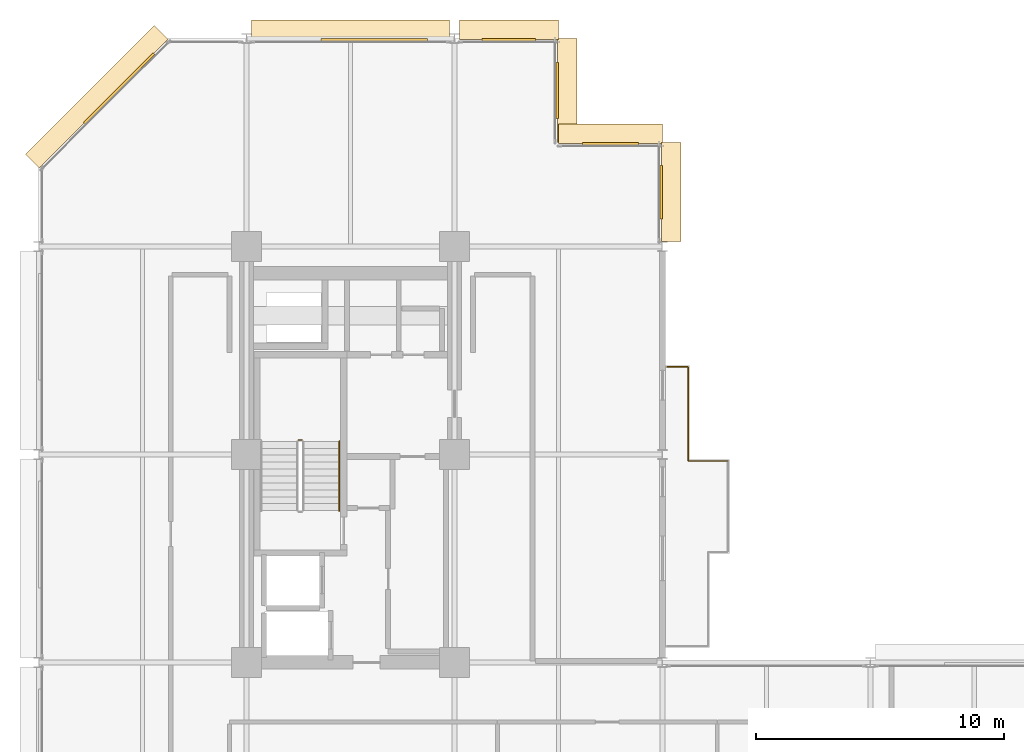
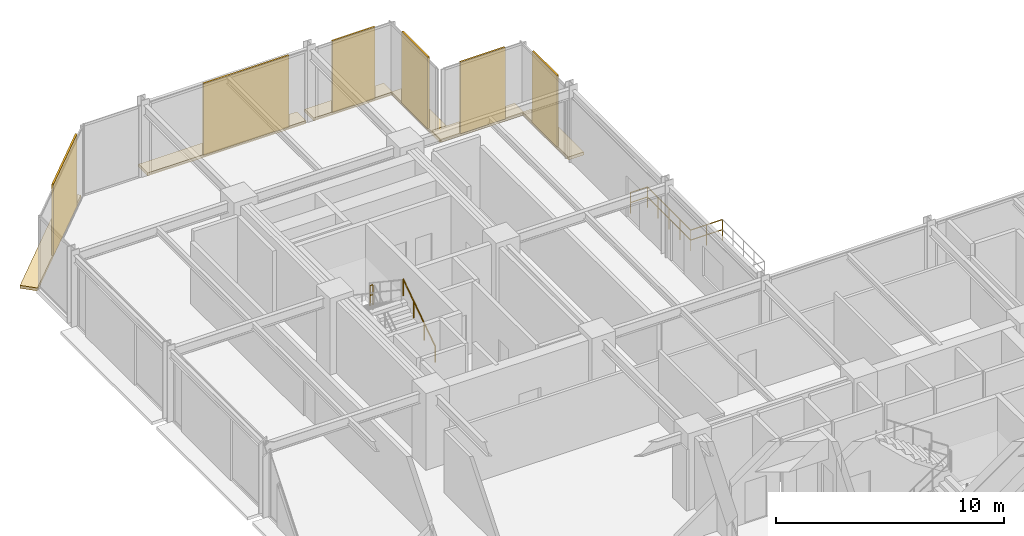
# One storey, part 30 of 30: 12 coverings, 5 railings.
"""IFC4 building model written with IfcOpenShell, lengths in metres."""

from ifc_helpers import new_model, si_unit, direction, frame, origin, origin_2d, place, context, subcontext, project, spatial, polyline, rectangle, circle, outline, extrude, material, layer, layer_set, type_object, element, save


model = new_model("IFC4")

# Units and contexts
model_context = context("Model", 3, precision=1e-05, world=origin(), true_north=direction((0.0, 1.0)))
body_context = subcontext(model_context, "Body", "Model", "MODEL_VIEW")
ifc_project = project(units=[si_unit("LENGTHUNIT", "METRE"), si_unit("AREAUNIT", "SQUARE_METRE"), si_unit("VOLUMEUNIT", "CUBIC_METRE"), si_unit("PLANEANGLEUNIT", "RADIAN"), si_unit("MASSUNIT", "GRAM", prefix="KILO")], contexts=[model_context])

# Site, building, storey
site_placement = place(None, origin())
site = spatial("IfcSite", under=ifc_project, at=site_placement, CompositionType="ELEMENT")
building_placement = place(site_placement, origin())
building = spatial("IfcBuilding", under=site, at=building_placement, Name="Nerrivon Quay Data Exchange", CompositionType="ELEMENT")
storey_placement = place(building_placement, frame((0.0, 0.0, 141.800048828125)))
storey = spatial("IfcBuildingStorey", under=building, at=storey_placement, Name="L33", CompositionType="ELEMENT", Elevation=141.800048828125)

# Coverings
ifc_material_1 = material(Name="Architectural terracotta ceramic", Category="masonry")
ifc_layer_1 = layer(ifc_material_1, 0.159912109375)
ifc_layer_set_1 = layer_set([ifc_layer_1], Name="Architectural terracotta ceramic")
covering_type_1 = type_object("IfcCoveringType", Name="COV-BLD-TERR", PredefinedType="CLADDING", material=ifc_layer_set_1)
covering_1_placement = place(storey_placement, frame((0.0, 0.0, -0.16015625)))
element("IfcCovering", 1, at=covering_1_placement, inside=storey, type_object=covering_type_1, Name="L33 Horizontal Terracotta SOLAR SCREEN Blade", PredefinedType="CLADDING", context=body_context, shape_type="SweptSolid", body=[
    extrude(outline(polyline([(0.0283203125, 45.171630859375), (5.228271484375, 50.37158203125), (4.669677734375, 50.930419921875), (-0.5302734375, 45.730224609375), (0.0283203125, 45.171630859375)])), origin(), (0.0, 0.0, 1.0), 0.16015625),
])
covering_2_placement = place(storey_placement, frame((0.0, 0.0, -0.16015625)))
element("IfcCovering", 2, at=covering_2_placement, inside=storey, type_object=covering_type_1, Name="L33 Horizontal Terracotta SOLAR SCREEN Blade", PredefinedType="CLADDING", context=body_context, shape_type="SweptSolid", body=[
    extrude(outline(polyline([(8.60009765625, 50.360107421875), (16.60009765625, 50.360107421875), (16.60009765625, 51.14990234375), (8.60009765625, 51.14990234375), (8.60009765625, 50.360107421875)])), origin(), (0.0, 0.0, 1.0), 0.16015625),
])
covering_3_placement = place(storey_placement, frame((0.0, 0.0, -0.16015625)))
element("IfcCovering", 3, at=covering_3_placement, inside=storey, type_object=covering_type_1, Name="L33 Horizontal Terracotta SOLAR SCREEN Blade", PredefinedType="CLADDING", context=body_context, shape_type="SweptSolid", body=[
    extrude(outline(polyline([(17.0, 50.360107421875), (21.0, 50.360107421875), (21.0, 51.14990234375), (17.0, 51.14990234375), (17.0, 50.360107421875)])), origin(), (0.0, 0.0, 1.0), 0.16015625),
])
covering_4_placement = place(storey_placement, frame((0.0, 0.0, -0.16015625)))
element("IfcCovering", 4, at=covering_4_placement, inside=storey, type_object=covering_type_1, Name="L33 Horizontal Terracotta SOLAR SCREEN Blade", PredefinedType="CLADDING", context=body_context, shape_type="SweptSolid", body=[
    extrude(outline(polyline([(20.9599609375, 50.39990234375), (20.9599609375, 46.199951171875), (21.75, 46.199951171875), (21.75, 50.39990234375), (20.9599609375, 50.39990234375)])), origin(), (0.0, 0.0, 1.0), 0.16015625),
])
covering_5_placement = place(storey_placement, frame((0.0, 0.0, -0.16015625)))
element("IfcCovering", 5, at=covering_5_placement, inside=storey, type_object=covering_type_1, Name="L33 Horizontal Terracotta SOLAR SCREEN Blade", PredefinedType="CLADDING", context=body_context, shape_type="SweptSolid", body=[
    extrude(outline(polyline([(21.0, 46.159912109375), (25.199951171875, 46.159912109375), (25.199951171875, 46.949951171875), (21.0, 46.949951171875), (21.0, 46.159912109375)])), origin(), (0.0, 0.0, 1.0), 0.16015625),
])
covering_6_placement = place(storey_placement, frame((0.0, 0.0, -0.16015625)))
element("IfcCovering", 6, at=covering_6_placement, inside=storey, type_object=covering_type_1, Name="L33 Horizontal Terracotta SOLAR SCREEN Blade", PredefinedType="CLADDING", context=body_context, shape_type="SweptSolid", body=[
    extrude(outline(polyline([(25.159912109375, 46.199951171875), (25.159912109375, 42.199951171875), (25.949951171875, 42.199951171875), (25.949951171875, 46.199951171875), (25.159912109375, 46.199951171875)])), origin(), (0.0, 0.0, 1.0), 0.16015625),
])
ifc_layer_2 = layer(ifc_material_1, 0.090087890625)
ifc_layer_set_2 = layer_set([ifc_layer_2], Name="Architectural terracotta ceramic")
covering_type_2 = type_object("IfcCoveringType", Name="COV-SCR-TERR", PredefinedType="CLADDING", material=ifc_layer_set_2)
covering_7_placement = place(storey_placement, frame((3.255859375, 48.39208984375, 0.0), z_axis=(0.0, 0.0, 1.0), x_axis=(0.707106781187, 0.707106781187, 0.0)))
element("IfcCovering", 7, at=covering_7_placement, inside=storey, type_object=covering_type_2, Name="L33 Perforated Terracotta SOLAR SCREEN Cassette", PredefinedType="CLADDING", context=body_context, shape_type="SweptSolid", body=[
    extrude(rectangle(XDim=3.970947265625, YDim=0.090087890625, at=origin_2d()), origin(), (0.0, 0.0, 1.0), 3.824951171875),
])
covering_8_placement = place(storey_placement, frame((13.56005859375, 50.35498046875, 0.0), z_axis=(0.0, 0.0, 1.0), x_axis=(1.0, 0.0, 0.0)))
element("IfcCovering", 8, at=covering_8_placement, inside=storey, type_object=covering_type_2, Name="L33 Perforated Terracotta SOLAR SCREEN Cassette", PredefinedType="CLADDING", context=body_context, shape_type="SweptSolid", body=[
    extrude(rectangle(XDim=4.320068359375, YDim=0.090087890625, at=origin_2d()), origin(), (0.0, 0.0, 1.0), 3.824951171875),
])
covering_9_placement = place(storey_placement, frame((19.0, 50.35498046875, 0.0), z_axis=(0.0, 0.0, 1.0), x_axis=(1.0, 0.0, 0.0)))
element("IfcCovering", 9, at=covering_9_placement, inside=storey, type_object=covering_type_2, Name="L33 Perforated Terracotta SOLAR SCREEN Cassette", PredefinedType="CLADDING", context=body_context, shape_type="SweptSolid", body=[
    extrude(rectangle(XDim=2.159912109375, YDim=0.090087890625, at=origin_2d()), origin(), (0.0, 0.0, 1.0), 3.824951171875),
])
for number, where, z_axis, x_axis, name in (
    (10, (20.955078125, 48.300048828125, 0.0), (0.0, 0.0, 1.0), (0.0, -1.0, 0.0), "L33 Perforated Terracotta SOLAR SCREEN Cassette"),
    (11, (23.10009765625, 46.155029296875, 0.0), (0.0, 0.0, 1.0), (1.0, 0.0, 0.0), "L33 Perforated Terracotta SOLAR SCREEN Cassette"),
):
    element("IfcCovering", number, at=place(storey_placement, frame(where, z_axis=z_axis, x_axis=x_axis)), inside=storey, type_object=covering_type_2, Name=name, PredefinedType="CLADDING", context=body_context, shape_type="SweptSolid", body=[
        extrude(rectangle(XDim=2.26806640625, YDim=0.090087890625, at=origin_2d()), origin(), (0.0, 0.0, 1.0), 3.824951171875),
    ])
covering_10_placement = place(storey_placement, frame((25.155029296875, 44.199951171875, 0.0), z_axis=(0.0, 0.0, 1.0), x_axis=(0.0, -1.0, 0.0)))
element("IfcCovering", 12, at=covering_10_placement, inside=storey, type_object=covering_type_2, Name="L33 Perforated Terracotta SOLAR SCREEN Cassette", PredefinedType="CLADDING", context=body_context, shape_type="SweptSolid", body=[
    extrude(rectangle(XDim=2.159912109375, YDim=0.090087890625, at=origin_2d()), origin(), (0.0, 0.0, 1.0), 3.824951171875),
])

# Railings
ifc_material_2 = material(Name="Steel Grade C350L0 (350 MPa)", Category="steel")
railing_type_1 = type_object("IfcRailingType", Name="RAIL-GUARD-GR2", PredefinedType="BALUSTRADE", material=ifc_material_2)
railing_1_placement = place(storey_placement, frame((25.3798828125, 37.139892578125, 0.0)))
element("IfcRailing", 13, at=railing_1_placement, inside=storey, type_object=railing_type_1, Name="L33 Verandah Balcony Guard 1.3 1", PredefinedType="BALUSTRADE", context=body_context, shape_type="SweptSolid", body=[
    extrude(circle(Radius=0.02392578125, at=origin_2d()), frame((0.0, 0.0, 1.09619140625), z_axis=(1.0, 0.0, 0.0), x_axis=(0.0, 1.0, 0.0)), (0.0, 0.0, 1.0), 0.860107421875),
    extrude(circle(Radius=0.02392578125, at=origin_2d()), frame((0.0, 0.0, 0.56005859375), z_axis=(1.0, 0.0, 0.0), x_axis=(0.0, 1.0, 0.0)), (0.0, 0.0, 1.0), 0.860107421875),
    extrude(circle(Radius=0.02099609375, at=origin_2d()), origin(), (0.0, 0.0, 1.0), 1.072021484375),
    extrude(circle(Radius=0.02099609375, at=origin_2d()), frame((0.860107421875, 0.0, 0.0)), (0.0, 0.0, 1.0), 1.072021484375),
])
railing_2_placement = place(storey_placement, frame((26.239990234375, 37.139892578125, 0.0)))
element("IfcRailing", 14, at=railing_2_placement, inside=storey, type_object=railing_type_1, Name="L33 Verandah Balcony Guard 1.4 1", PredefinedType="BALUSTRADE", context=body_context, shape_type="SweptSolid", body=[
    extrude(circle(Radius=0.02392578125, at=origin_2d()), frame((0.0, 0.0, 1.09619140625), z_axis=(0.0, -1.0, 0.0), x_axis=(1.0, 0.0, 0.0)), (0.0, 0.0, 1.0), 3.7998046875),
    extrude(circle(Radius=0.02392578125, at=origin_2d()), frame((0.0, 0.0, 0.56005859375), z_axis=(0.0, -1.0, 0.0), x_axis=(1.0, 0.0, 0.0)), (0.0, 0.0, 1.0), 3.7998046875),
    extrude(circle(Radius=0.02099609375, at=origin_2d()), origin(), (0.0, 0.0, 1.0), 1.072021484375),
    extrude(circle(Radius=0.02099609375, at=origin_2d()), frame((0.0, -0.949951171875, 0.0)), (0.0, 0.0, 1.0), 1.072021484375),
    extrude(circle(Radius=0.02099609375, at=origin_2d()), frame((0.0, -1.89990234375, 0.0)), (0.0, 0.0, 1.0), 1.072021484375),
    extrude(circle(Radius=0.02099609375, at=origin_2d()), frame((0.0, -2.849853515625, 0.0)), (0.0, 0.0, 1.0), 1.072021484375),
    extrude(circle(Radius=0.02099609375, at=origin_2d()), frame((0.0, -3.7998046875, 0.0)), (0.0, 0.0, 1.0), 1.072021484375),
])
railing_3_placement = place(storey_placement, frame((26.239990234375, 33.340087890625, 0.0)))
element("IfcRailing", 15, at=railing_3_placement, inside=storey, type_object=railing_type_1, Name="L33 Verandah Balcony Guard 1.5 1", PredefinedType="BALUSTRADE", context=body_context, shape_type="SweptSolid", body=[
    extrude(circle(Radius=0.02392578125, at=origin_2d()), frame((0.0, 0.0, 1.09619140625), z_axis=(1.0, 0.0, 0.0), x_axis=(0.0, 1.0, 0.0)), (0.0, 0.0, 1.0), 1.60009765625),
    extrude(circle(Radius=0.02392578125, at=origin_2d()), frame((0.0, 0.0, 0.56005859375), z_axis=(1.0, 0.0, 0.0), x_axis=(0.0, 1.0, 0.0)), (0.0, 0.0, 1.0), 1.60009765625),
    extrude(circle(Radius=0.02099609375, at=origin_2d()), origin(), (0.0, 0.0, 1.0), 1.072021484375),
    extrude(circle(Radius=0.02099609375, at=origin_2d()), frame((0.800048828125, 0.0, 0.0)), (0.0, 0.0, 1.0), 1.072021484375),
    extrude(circle(Radius=0.02099609375, at=origin_2d()), frame((1.60009765625, 0.0, 0.0)), (0.0, 0.0, 1.0), 1.072021484375),
])
railing_type_2 = type_object("IfcRailingType", Name="RAIL-HAND-HR1", PredefinedType="HANDRAIL", material=ifc_material_2)
railing_4_placement = place(storey_placement, frame((12.14990234375, 31.330078125, 0.186279296875)))
element("IfcRailing", 16, at=railing_4_placement, inside=storey, type_object=railing_type_2, Name="L33 ST01 stair handrail 1", PredefinedType="HANDRAIL", context=body_context, shape_type="SweptSolid", body=[
    extrude(circle(Radius=0.02392578125, at=origin_2d()), frame((0.0, 0.0, 0.8759765625), z_axis=(0.0, 0.832429786209, 0.554130536094), x_axis=(-1.0, 0.0, 0.0)), (0.0, 0.0, 1.0), 3.363525390625),
    extrude(circle(Radius=0.02099609375, at=origin_2d()), origin(), (0.0, 0.0, 1.0), 0.851806640625),
    extrude(circle(Radius=0.02099609375, at=origin_2d()), frame((0.0, 0.933349609375, 0.621337890625)), (0.0, 0.0, 1.0), 0.851806640625),
    extrude(circle(Radius=0.02099609375, at=origin_2d()), frame((0.0, 1.866455078125, 1.242431640625)), (0.0, 0.0, 1.0), 0.851806640625),
    extrude(circle(Radius=0.02099609375, at=origin_2d()), frame((0.0, 2.7998046875, 1.86376953125)), (0.0, 0.0, 1.0), 0.851806640625),
])
railing_type_3 = type_object("IfcRailingType", Name="RAIL-STAIR-GR1", PredefinedType="BALUSTRADE", material=ifc_material_2)
railing_5_placement = place(storey_placement, frame((10.64990234375, 34.179931640625, 2.050048828125)))
element("IfcRailing", 17, at=railing_5_placement, inside=storey, type_object=railing_type_3, Name="L33 ST01 stair guard 2", PredefinedType="BALUSTRADE", context=body_context, shape_type="SweptSolid", body=[
    extrude(circle(Radius=0.02392578125, at=origin_2d()), frame((0.0, 0.0, 1.076171875), z_axis=(-1.0, 0.0, 0.0), x_axis=(0.0, -1.0, 0.0)), (0.0, 0.0, 1.0), 0.14990234375),
    extrude(circle(Radius=0.02392578125, at=origin_2d()), frame((0.0, 0.0, 0.550048828125), z_axis=(-1.0, 0.0, 0.0), x_axis=(0.0, -1.0, 0.0)), (0.0, 0.0, 1.0), 0.14990234375),
    extrude(circle(Radius=0.02099609375, at=origin_2d()), origin(), (0.0, 0.0, 1.0), 1.052001953125),
    extrude(circle(Radius=0.02099609375, at=origin_2d()), frame((-0.14990234375, 0.0, 0.0)), (0.0, 0.0, 1.0), 1.052001953125),
])

save(model, "model.ifc")
